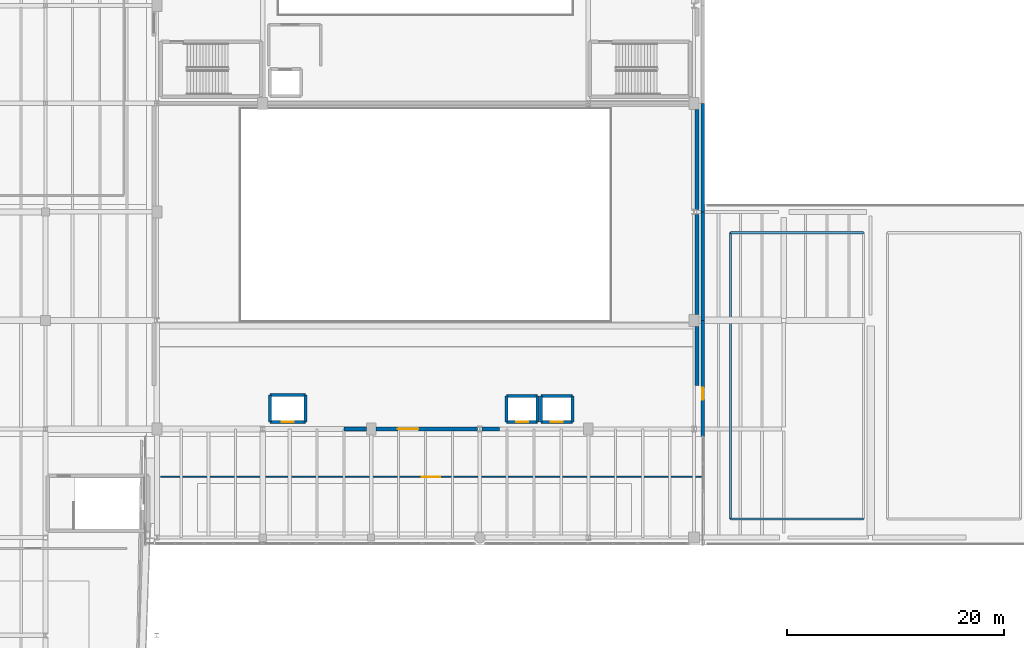
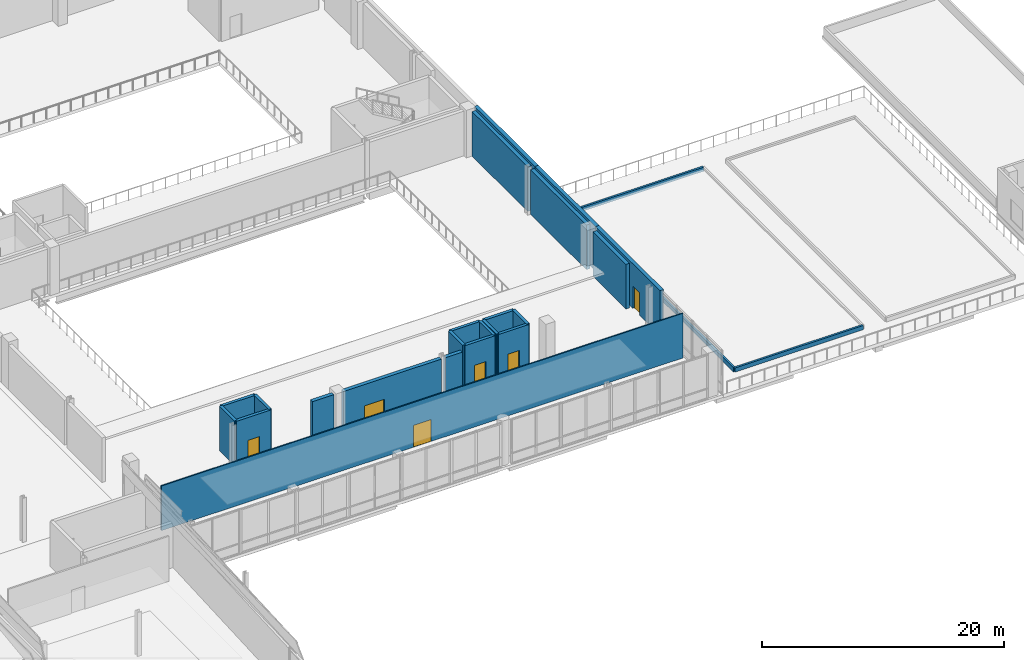
# One storey, part 29 of 41: 25 walls, 6 doors, 6 openings.
"""IFC4 building model written with IfcOpenShell, lengths in metres."""

from ifc_helpers import new_model, si_unit, direction, frame, frame_2d, origin, place, context, subcontext, project, spatial, rectangle, extrude, material, layer, layer_set, type_object, element, fill, save


model = new_model("IFC4")

# Units and contexts
model_context = context("Model", 3, precision=1e-05, world=origin(), true_north=direction((0.0, 1.0)))
body_context = subcontext(model_context, "Body", "Model", "MODEL_VIEW")
ifc_project = project(units=[si_unit("LENGTHUNIT", "METRE"), si_unit("AREAUNIT", "SQUARE_METRE"), si_unit("VOLUMEUNIT", "CUBIC_METRE"), si_unit("PLANEANGLEUNIT", "RADIAN"), si_unit("MASSUNIT", "GRAM", prefix="KILO")], contexts=[model_context])

# Site, building, storey
site_placement = place(None, origin())
site = spatial("IfcSite", under=ifc_project, at=site_placement, CompositionType="ELEMENT")
building_placement = place(site_placement, origin())
building = spatial("IfcBuilding", under=site, at=building_placement, Name="Trimount Lyric Opera House", CompositionType="ELEMENT")
storey_placement = place(building_placement, frame((0.0, 0.0, 20.0)))
storey = spatial("IfcBuildingStorey", under=building, at=storey_placement, Name="L04", CompositionType="ELEMENT", Elevation=20.0)

# Walls
ifc_material_1 = material(Name="Precast concrete C40/50", Category="concrete")
ifc_layer_1 = layer(ifc_material_1, 0.18994140625)
ifc_layer_set_1 = layer_set([ifc_layer_1], Name="WL-PA190")
wall_type_1 = type_object("IfcWallType", Name="WL-PA190", PredefinedType="PARAPET", material=ifc_layer_set_1)
for number, where, z_axis, x_axis, name in (
    (1, (117.080078125, 45.719970703125, 0.0), (0.0, 0.0, 1.0), (1.0, 0.0, 0.0), "East Workshop Roof Garden stone planter kerb 1S"),
    (2, (129.340087890625, 72.080078125, 0.0), (0.0, 0.0, 1.0), (-1.0, 0.0, 0.0), "East Workshop Roof Garden stone planter kerb 1N"),
):
    element("IfcWall", number, at=place(storey_placement, frame(where, z_axis=z_axis, x_axis=x_axis)), inside=storey, type_object=wall_type_1, Name=name, PredefinedType="PARAPET", context=body_context, shape_type="SweptSolid", body=[
        extrude(rectangle(XDim=12.260009765625, YDim=0.18994140625, at=frame_2d((6.1298828125, 0.0))), origin(), (0.0, 0.0, 1.0), 0.419921875),
    ])
wall_1_placement = place(storey_placement, frame((117.080078125, 72.080078125, 0.0), z_axis=(0.0, 0.0, 1.0), x_axis=(0.0, -1.0, 0.0)))
element("IfcWall", 3, at=wall_1_placement, inside=storey, type_object=wall_type_1, Name="East Workshop Roof Garden stone planter kerb 1W", PredefinedType="PARAPET", context=body_context, shape_type="SweptSolid", body=[
    extrude(rectangle(XDim=26.360107421875, YDim=0.18994140625, at=frame_2d((13.18017578125, 0.0))), origin(), (0.0, 0.0, 1.0), 0.419921875),
])

# Wall, opening, door
ifc_material_2 = material(Name="Gypsum Board Partition")
ifc_layer_2 = layer(ifc_material_2, 0.1201171875)
ifc_layer_set_2 = layer_set([ifc_layer_2], Name="WL-PT120")
wall_type_2 = type_object("IfcWallType", Name="WL-PT120", PredefinedType="PARTITIONING", material=ifc_layer_set_2)
wall_2_placement = place(storey_placement, frame((114.39990234375, 49.60009765625, 0.0), z_axis=(0.0, 0.0, 1.0), x_axis=(-1.0, 0.0, 0.0)))
wall_2 = element("IfcWall", 4, at=wall_2_placement, inside=storey, type_object=wall_type_2, Name="L04 Upper Gallery Panoramic Foyer N partition", PredefinedType="PARTITIONING", context=body_context, shape_type="SweptSolid", body=[
    extrude(rectangle(XDim=49.7998046875, YDim=0.1201171875, at=frame_2d((24.89990234375, 0.0))), origin(), (0.0, 0.0, 1.0), 4.510009765625),
])
opening_1_placement = place(wall_2_placement, frame((24.050048828125, 0.0, 0.0)))
opening_1 = element("IfcOpeningElement", 5, at=opening_1_placement, cuts=wall_2, Name="Opening DT-COR2", PredefinedType="OPENING", context=body_context, shape_type="SweptSolid", body=[
    extrude(rectangle(XDim=1.699951171875, YDim=2.199951171875, at=frame_2d((0.85009765625, 1.10009765625))), frame((0.0, 0.070068359375, 0.0), z_axis=(0.0, -1.0, 0.0), x_axis=(1.0, 0.0, 0.0)), (0.0, 0.0, 1.0), 0.14013671875),
])
ifc_material_3 = material(Name="Solid Core White Oak")
door_type_1 = type_object("IfcDoorType", Name="DT-COR2", OperationType="DOUBLE_DOOR_SINGLE_SWING", PredefinedType="DOOR", material=ifc_material_3)
door_1_placement = place(opening_1_placement, origin())
door_1 = element("IfcDoor", 6, at=door_1_placement, inside=storey, type_object=door_type_1, Name="D-234", OperationType="DOUBLE_DOOR_SINGLE_SWING", OverallHeight=2.199951171875, OverallWidth=1.699951171875, PredefinedType="DOOR", context=body_context, shape_type="SweptSolid", body=[
    extrude(rectangle(XDim=1.699951171875, YDim=2.199951171875, at=frame_2d((0.85009765625, 1.10009765625))), frame((0.0, 0.02490234375, 0.0), z_axis=(0.0, -1.0, 0.0), x_axis=(1.0, 0.0, 0.0)), (0.0, 0.0, 1.0), 0.050048828125),
])
fill(opening_1, door_1)

ifc_material_4 = material(Name="Concrete C40/50", Category="concrete")
ifc_layer_3 = layer(ifc_material_4, 0.280029296875)
ifc_layer_set_3 = layer_set([ifc_layer_3], Name="WL-SH280")
wall_type_3 = type_object("IfcWallType", Name="WL-SH280", PredefinedType="SHEAR", material=ifc_layer_set_3)
wall_3_placement = place(storey_placement, frame((74.659912109375, 54.659912109375, 0.0), z_axis=(0.0, 0.0, 1.0), x_axis=(1.0, 0.0, 0.0)))
wall_3 = element("IfcWall", 7, at=wall_3_placement, inside=storey, type_object=wall_type_3, Name="Lift LF-02 L04 south shaft wall", PredefinedType="SHEAR", context=body_context, shape_type="SweptSolid", body=[
    extrude(rectangle(XDim=3.280029296875, YDim=0.280029296875, at=frame_2d((1.64013671875, 0.0))), origin(), (0.0, 0.0, 1.0), 4.5),
])
opening_2_placement = place(wall_3_placement, frame((1.090087890625, 0.0, 0.0)))
opening_2 = element("IfcOpeningElement", 8, at=opening_2_placement, cuts=wall_3, Name="Opening DT-LD1", PredefinedType="OPENING", context=body_context, shape_type="SweptSolid", body=[
    extrude(rectangle(XDim=1.10009765625, YDim=2.199951171875, at=frame_2d((0.550048828125, 1.10009765625))), frame((0.0, 0.14990234375, 0.0), z_axis=(0.0, -1.0, 0.0), x_axis=(1.0, 0.0, 0.0)), (0.0, 0.0, 1.0), 0.300048828125),
])
ifc_material_5 = material(Name="Brushed Stainless Steel", Category="steel")
door_type_2 = type_object("IfcDoorType", Name="DT-LD1", OperationType="SLIDING_TO_LEFT", PredefinedType="DOOR", material=ifc_material_5)
door_2_placement = place(opening_2_placement, origin())
door_2 = element("IfcDoor", 9, at=door_2_placement, inside=storey, type_object=door_type_2, Name="D-078", OperationType="SLIDING_TO_LEFT", OverallHeight=2.199951171875, OverallWidth=1.10009765625, PredefinedType="DOOR", context=body_context, shape_type="SweptSolid", body=[
    extrude(rectangle(XDim=1.10009765625, YDim=2.199951171875, at=frame_2d((0.550048828125, 1.10009765625))), frame((0.0, 0.02490234375, 0.0), z_axis=(0.0, -1.0, 0.0), x_axis=(1.0, 0.0, 0.0)), (0.0, 0.0, 1.0), 0.050048828125),
])
fill(opening_2, door_2)

# Walls
wall_4_placement = place(storey_placement, frame((77.93994140625, 57.139892578125, 0.0), z_axis=(0.0, 0.0, 1.0), x_axis=(-1.0, 0.0, 0.0)))
element("IfcWall", 10, at=wall_4_placement, inside=storey, type_object=wall_type_3, Name="Lift LF-02 L04 north shaft wall", PredefinedType="SHEAR", context=body_context, shape_type="SweptSolid", body=[
    extrude(rectangle(XDim=3.280029296875, YDim=0.280029296875, at=frame_2d((1.64013671875, 0.0))), origin(), (0.0, 0.0, 1.0), 4.5),
])
for number, where, z_axis, x_axis, name in (
    (11, (74.659912109375, 57.139892578125, 0.0), (0.0, 0.0, 1.0), (0.0, -1.0, 0.0), "Lift LF-02 L04 west shaft wall"),
    (12, (77.93994140625, 54.659912109375, 0.0), (0.0, 0.0, 1.0), (0.0, 1.0, 0.0), "Lift LF-02 L04 east shaft wall"),
):
    element("IfcWall", number, at=place(storey_placement, frame(where, z_axis=z_axis, x_axis=x_axis)), inside=storey, type_object=wall_type_3, Name=name, PredefinedType="SHEAR", context=body_context, shape_type="SweptSolid", body=[
        extrude(rectangle(XDim=2.47998046875, YDim=0.280029296875, at=frame_2d((1.239990234375, 0.0))), origin(), (0.0, 0.0, 1.0), 4.5),
    ])

# Wall, opening, door
wall_5_placement = place(storey_placement, frame((96.4599609375, 54.659912109375, 0.0), z_axis=(0.0, 0.0, 1.0), x_axis=(1.0, 0.0, 0.0)))
wall_5 = element("IfcWall", 13, at=wall_5_placement, inside=storey, type_object=wall_type_3, Name="Lift LF-03 L04 south shaft wall", PredefinedType="SHEAR", context=body_context, shape_type="SweptSolid", body=[
    extrude(rectangle(XDim=2.880126953125, YDim=0.280029296875, at=frame_2d((1.43994140625, 0.0))), origin(), (0.0, 0.0, 1.0), 4.5),
])
opening_3_placement = place(wall_5_placement, frame((0.889892578125, 0.0, 0.0)))
opening_3 = element("IfcOpeningElement", 14, at=opening_3_placement, cuts=wall_5, Name="Opening DT-LD1", PredefinedType="OPENING", context=body_context, shape_type="SweptSolid", body=[
    extrude(rectangle(XDim=1.10009765625, YDim=2.199951171875, at=frame_2d((0.550048828125, 1.10009765625))), frame((0.0, 0.14990234375, 0.0), z_axis=(0.0, -1.0, 0.0), x_axis=(1.0, 0.0, 0.0)), (0.0, 0.0, 1.0), 0.300048828125),
])
door_3_placement = place(opening_3_placement, origin())
door_3 = element("IfcDoor", 15, at=door_3_placement, inside=storey, type_object=door_type_2, Name="D-084", OperationType="SLIDING_TO_LEFT", OverallHeight=2.199951171875, OverallWidth=1.10009765625, PredefinedType="DOOR", context=body_context, shape_type="SweptSolid", body=[
    extrude(rectangle(XDim=1.10009765625, YDim=2.199951171875, at=frame_2d((0.550048828125, 1.10009765625))), frame((0.0, 0.02490234375, 0.0), z_axis=(0.0, -1.0, 0.0), x_axis=(1.0, 0.0, 0.0)), (0.0, 0.0, 1.0), 0.050048828125),
])
fill(opening_3, door_3)

# Walls
wall_6_placement = place(storey_placement, frame((99.340087890625, 57.0400390625, 0.0), z_axis=(0.0, 0.0, 1.0), x_axis=(-1.0, 0.0, 0.0)))
element("IfcWall", 16, at=wall_6_placement, inside=storey, type_object=wall_type_3, Name="Lift LF-03 L04 north shaft wall", PredefinedType="SHEAR", context=body_context, shape_type="SweptSolid", body=[
    extrude(rectangle(XDim=2.880126953125, YDim=0.280029296875, at=frame_2d((1.43994140625, 0.0))), origin(), (0.0, 0.0, 1.0), 4.5),
])
for number, where, z_axis, x_axis, name in (
    (17, (96.4599609375, 57.0400390625, 0.0), (0.0, 0.0, 1.0), (0.0, -1.0, 0.0), "Lift LF-03 L04 west shaft wall"),
    (18, (99.340087890625, 54.659912109375, 0.0), (0.0, 0.0, 1.0), (0.0, 1.0, 0.0), "Lift LF-03 L04 east shaft wall"),
):
    element("IfcWall", number, at=place(storey_placement, frame(where, z_axis=z_axis, x_axis=x_axis)), inside=storey, type_object=wall_type_3, Name=name, PredefinedType="SHEAR", context=body_context, shape_type="SweptSolid", body=[
        extrude(rectangle(XDim=2.380126953125, YDim=0.280029296875, at=frame_2d((1.18994140625, 0.0))), origin(), (0.0, 0.0, 1.0), 4.5),
    ])

# Wall, opening, door
wall_7_placement = place(storey_placement, frame((99.659912109375, 54.659912109375, 0.0), z_axis=(0.0, 0.0, 1.0), x_axis=(1.0, 0.0, 0.0)))
wall_7 = element("IfcWall", 19, at=wall_7_placement, inside=storey, type_object=wall_type_3, Name="Lift LF-04 L04 south shaft wall", PredefinedType="SHEAR", context=body_context, shape_type="SweptSolid", body=[
    extrude(rectangle(XDim=2.880126953125, YDim=0.280029296875, at=frame_2d((1.43994140625, 0.0))), origin(), (0.0, 0.0, 1.0), 4.5),
])
opening_4_placement = place(wall_7_placement, frame((0.889892578125, 0.0, 0.0)))
opening_4 = element("IfcOpeningElement", 20, at=opening_4_placement, cuts=wall_7, Name="Opening DT-LD1", PredefinedType="OPENING", context=body_context, shape_type="SweptSolid", body=[
    extrude(rectangle(XDim=1.10009765625, YDim=2.199951171875, at=frame_2d((0.550048828125, 1.10009765625))), frame((0.0, 0.14990234375, 0.0), z_axis=(0.0, -1.0, 0.0), x_axis=(1.0, 0.0, 0.0)), (0.0, 0.0, 1.0), 0.300048828125),
])
door_4_placement = place(opening_4_placement, origin())
door_4 = element("IfcDoor", 21, at=door_4_placement, inside=storey, type_object=door_type_2, Name="D-090", OperationType="SLIDING_TO_LEFT", OverallHeight=2.199951171875, OverallWidth=1.10009765625, PredefinedType="DOOR", context=body_context, shape_type="SweptSolid", body=[
    extrude(rectangle(XDim=1.10009765625, YDim=2.199951171875, at=frame_2d((0.550048828125, 1.10009765625))), frame((0.0, 0.02490234375, 0.0), z_axis=(0.0, -1.0, 0.0), x_axis=(1.0, 0.0, 0.0)), (0.0, 0.0, 1.0), 0.050048828125),
])
fill(opening_4, door_4)

# Walls
wall_8_placement = place(storey_placement, frame((102.5400390625, 57.0400390625, 0.0), z_axis=(0.0, 0.0, 1.0), x_axis=(-1.0, 0.0, 0.0)))
element("IfcWall", 22, at=wall_8_placement, inside=storey, type_object=wall_type_3, Name="Lift LF-04 L04 north shaft wall", PredefinedType="SHEAR", context=body_context, shape_type="SweptSolid", body=[
    extrude(rectangle(XDim=2.880126953125, YDim=0.280029296875, at=frame_2d((1.43994140625, 0.0))), origin(), (0.0, 0.0, 1.0), 4.5),
])
for number, where, z_axis, x_axis, name in (
    (23, (99.659912109375, 57.0400390625, 0.0), (0.0, 0.0, 1.0), (0.0, -1.0, 0.0), "Lift LF-04 L04 west shaft wall"),
    (24, (102.5400390625, 54.659912109375, 0.0), (0.0, 0.0, 1.0), (0.0, 1.0, 0.0), "Lift LF-04 L04 east shaft wall"),
):
    element("IfcWall", number, at=place(storey_placement, frame(where, z_axis=z_axis, x_axis=x_axis)), inside=storey, type_object=wall_type_3, Name=name, PredefinedType="SHEAR", context=body_context, shape_type="SweptSolid", body=[
        extrude(rectangle(XDim=2.380126953125, YDim=0.280029296875, at=frame_2d((1.18994140625, 0.0))), origin(), (0.0, 0.0, 1.0), 4.5),
    ])
ifc_material_6 = material(Name="Concrete C40/50", Category="concrete")
ifc_layer_4 = layer(ifc_material_6, 0.35009765625)
ifc_layer_set_4 = layer_set([ifc_layer_4], Name="WL-SH350")
wall_type_4 = type_object("IfcWallType", Name="WL-SH350", PredefinedType="SHEAR", material=ifc_layer_set_4)
wall_9_placement = place(storey_placement, frame((114.0, 58.0, 0.0), z_axis=(0.0, 0.0, 1.0), x_axis=(0.0, 1.0, 0.0)))
element("IfcWall", 25, at=wall_9_placement, inside=storey, type_object=wall_type_4, Name="L04 auditorium east acoustic shear wall", PredefinedType="SHEAR", context=body_context, shape_type="SweptSolid", body=[
    extrude(rectangle(XDim=5.449951171875, YDim=0.35009765625, at=frame_2d((2.72509765625, 0.0))), origin(), (0.0, 0.0, 1.0), 4.5),
])
for number, where, z_axis, x_axis, name in (
    (26, (114.0, 64.550048828125, 0.0), (0.0, 0.0, 1.0), (0.0, 1.0, 0.0), "L04 auditorium east acoustic shear wall"),
    (27, (114.0, 74.232421875, 0.0), (0.0, 0.0, 1.0), (0.0, 1.0, 0.0), "L04 auditorium east acoustic shear wall"),
):
    element("IfcWall", number, at=place(storey_placement, frame(where, z_axis=z_axis, x_axis=x_axis)), inside=storey, type_object=wall_type_4, Name=name, PredefinedType="SHEAR", context=body_context, shape_type="SweptSolid", body=[
        extrude(rectangle(XDim=9.217529296875, YDim=0.35009765625, at=frame_2d((4.60888671875, 0.0))), origin(), (0.0, 0.0, 1.0), 4.5),
    ])
wall_10_placement = place(storey_placement, frame((81.5, 54.0, 0.0), z_axis=(0.0, 0.0, 1.0), x_axis=(1.0, 0.0, 0.0)))
element("IfcWall", 28, at=wall_10_placement, inside=storey, type_object=wall_type_4, Name="L04 auditorium south acoustic lobby wall", PredefinedType="SHEAR", context=body_context, shape_type="SweptSolid", body=[
    extrude(rectangle(XDim=2.050048828125, YDim=0.35009765625, at=frame_2d((1.02490234375, 0.0))), origin(), (0.0, 0.0, 1.0), 4.5),
])

# Wall, opening, door
wall_11_placement = place(storey_placement, frame((84.449951171875, 54.0, 0.0), z_axis=(0.0, 0.0, 1.0), x_axis=(1.0, 0.0, 0.0)))
wall_11 = element("IfcWall", 29, at=wall_11_placement, inside=storey, type_object=wall_type_4, Name="L04 auditorium south acoustic lobby wall", PredefinedType="SHEAR", context=body_context, shape_type="SweptSolid", body=[
    extrude(rectangle(XDim=9.339111328125, YDim=0.35009765625, at=frame_2d((4.66943359375, 0.0))), origin(), (0.0, 0.0, 1.0), 4.5),
])
opening_5_placement = place(wall_11_placement, frame((2.0, 0.0, 0.0)))
opening_5 = element("IfcOpeningElement", 30, at=opening_5_placement, cuts=wall_11, Name="Opening DT-AUD1", PredefinedType="OPENING", context=body_context, shape_type="SweptSolid", body=[
    extrude(rectangle(XDim=1.89990234375, YDim=2.35009765625, at=frame_2d((0.949951171875, 1.175048828125))), frame((0.0, 0.18505859375, 0.0), z_axis=(0.0, -1.0, 0.0), x_axis=(1.0, 0.0, 0.0)), (0.0, 0.0, 1.0), 0.3701171875),
])
ifc_material_7 = material(Name="Solid White Oak Acoustic")
door_type_3 = type_object("IfcDoorType", Name="DT-AUD1", OperationType="DOUBLE_DOOR_SINGLE_SWING", PredefinedType="DOOR", material=ifc_material_7)
door_5_placement = place(opening_5_placement, origin())
door_5 = element("IfcDoor", 31, at=door_5_placement, inside=storey, type_object=door_type_3, Name="D-131", OperationType="DOUBLE_DOOR_SINGLE_SWING", OverallHeight=2.35009765625, OverallWidth=1.89990234375, PredefinedType="DOOR", context=body_context, shape_type="SweptSolid", body=[
    extrude(rectangle(XDim=1.89990234375, YDim=2.35009765625, at=frame_2d((0.949951171875, 1.175048828125))), frame((0.0, 0.02490234375, 0.0), z_axis=(0.0, -1.0, 0.0), x_axis=(1.0, 0.0, 0.0)), (0.0, 0.0, 1.0), 0.050048828125),
])
fill(opening_5, door_5)

# Walls
wall_12_placement = place(storey_placement, frame((94.2109375, 54.0, 0.0), z_axis=(0.0, 0.0, 1.0), x_axis=(1.0, 0.0, 0.0)))
element("IfcWall", 32, at=wall_12_placement, inside=storey, type_object=wall_type_4, Name="L04 auditorium south acoustic lobby wall", PredefinedType="SHEAR", context=body_context, shape_type="SweptSolid", body=[
    extrude(rectangle(XDim=1.589111328125, YDim=0.35009765625, at=frame_2d((0.79443359375, 0.0))), origin(), (0.0, 0.0, 1.0), 4.5),
])
for number, where, z_axis, x_axis, name in (
    (33, (114.5400390625, 84.0, 0.0), (0.0, 0.0, 1.0), (0.0, -1.0, 0.0), "L04 exterior facade wall 310"),
    (34, (114.5400390625, 74.0, 0.0), (0.0, 0.0, 1.0), (0.0, -1.0, 0.0), "L04 exterior facade wall 311"),
):
    element("IfcWall", number, at=place(storey_placement, frame(where, z_axis=z_axis, x_axis=x_axis)), inside=storey, type_object=wall_type_4, Name=name, PredefinedType="SHEAR", context=body_context, shape_type="SweptSolid", body=[
        extrude(rectangle(XDim=10.0, YDim=0.35009765625, at=frame_2d((5.0, 0.0))), origin(), (0.0, 0.0, 1.0), 4.5),
    ])

# Wall, opening, door
wall_13_placement = place(storey_placement, frame((114.5400390625, 64.0, 0.0), z_axis=(0.0, 0.0, 1.0), x_axis=(0.0, -1.0, 0.0)))
wall_13 = element("IfcWall", 35, at=wall_13_placement, inside=storey, type_object=wall_type_4, Name="L04 exterior facade wall 312", PredefinedType="SHEAR", context=body_context, shape_type="SweptSolid", body=[
    extrude(rectangle(XDim=10.679931640625, YDim=0.35009765625, at=frame_2d((5.33984375, 0.0))), origin(), (0.0, 0.0, 1.0), 4.5),
])
opening_6_placement = place(wall_13_placement, frame((6.18994140625, 0.0, 0.0)))
opening_6 = element("IfcOpeningElement", 36, at=opening_6_placement, cuts=wall_13, Name="Opening DT-TER2", PredefinedType="OPENING", context=body_context, shape_type="SweptSolid", body=[
    extrude(rectangle(XDim=1.10009765625, YDim=2.25, at=frame_2d((0.550048828125, 1.125))), frame((0.0, 0.18505859375, 0.0), z_axis=(0.0, -1.0, 0.0), x_axis=(1.0, 0.0, 0.0)), (0.0, 0.0, 1.0), 0.3701171875),
])
ifc_material_8 = material(Name="Thermally Broken Aluminium Glazed", Category="aluminium")
door_type_4 = type_object("IfcDoorType", Name="DT-TER2", OperationType="NOTDEFINED", PredefinedType="DOOR", material=ifc_material_8)
door_6_placement = place(opening_6_placement, origin())
door_6 = element("IfcDoor", 37, at=door_6_placement, inside=storey, type_object=door_type_4, Name="D-160", OperationType="SINGLE_SWING_RIGHT", OverallHeight=2.25, OverallWidth=1.10009765625, PredefinedType="DOOR", context=body_context, shape_type="SweptSolid", body=[
    extrude(rectangle(XDim=1.10009765625, YDim=2.25, at=frame_2d((0.550048828125, 1.125))), frame((0.0, 0.02490234375, 0.0), z_axis=(0.0, -1.0, 0.0), x_axis=(1.0, 0.0, 0.0)), (0.0, 0.0, 1.0), 0.050048828125),
])
fill(opening_6, door_6)

save(model, "model.ifc")
